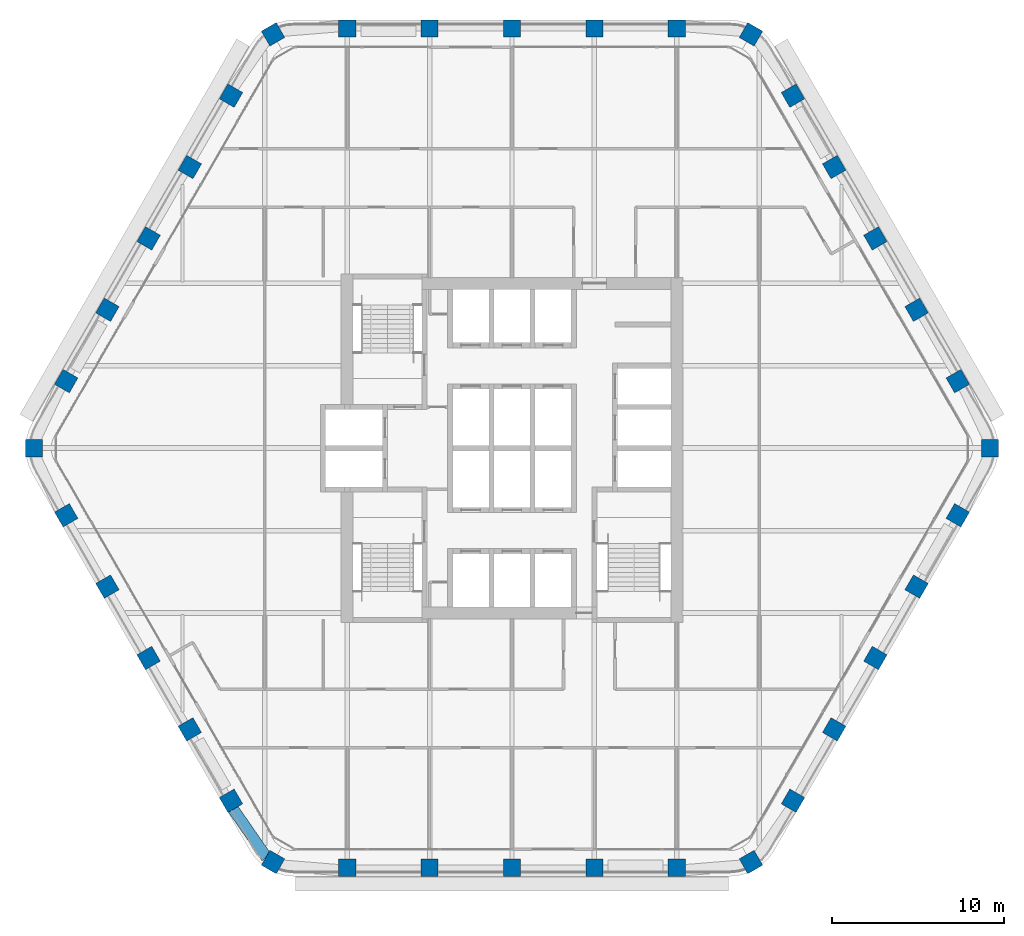
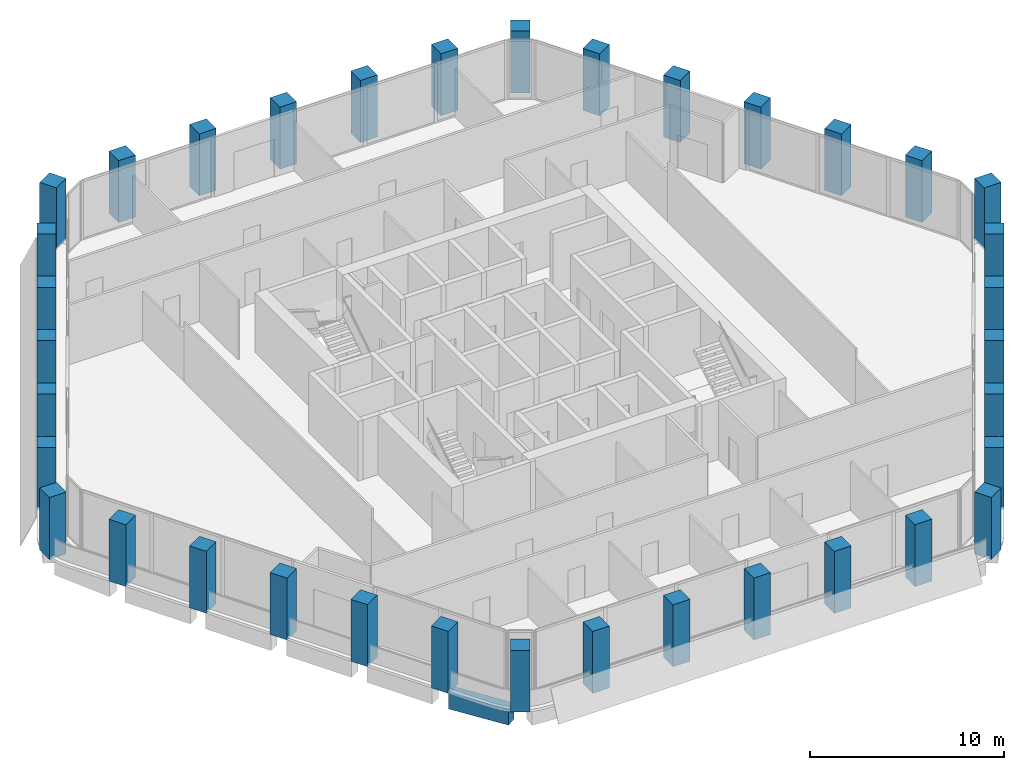
# One storey, part 1 of 15: 36 columns, 1 beam.
"""IFC4 building model written with IfcOpenShell, lengths in metres."""

from ifc_helpers import new_model, si_unit, direction, frame, origin, origin_2d, place, context, subcontext, project, spatial, rectangle, extrude, material, material_profile, profile_set, type_object, element, save


model = new_model("IFC4")

# Units and contexts
model_context = context("Model", 3, precision=1e-05, world=origin(), true_north=direction((0.0, 1.0)))
body_context = subcontext(model_context, "Body", "Model", "MODEL_VIEW")
ifc_project = project(units=[si_unit("LENGTHUNIT", "METRE"), si_unit("AREAUNIT", "SQUARE_METRE"), si_unit("VOLUMEUNIT", "CUBIC_METRE"), si_unit("PLANEANGLEUNIT", "RADIAN"), si_unit("MASSUNIT", "GRAM", prefix="KILO")], contexts=[model_context])

# Site, building, storey
site_placement = place(None, origin())
site = spatial("IfcSite", under=ifc_project, at=site_placement, CompositionType="ELEMENT")
building_placement = place(site_placement, origin())
building = spatial("IfcBuilding", under=site, at=building_placement, Name="Kolab Exchange Tower", CompositionType="ELEMENT")
storey_placement = place(building_placement, frame((0.0, 0.0, 138.800048828125)))
storey = spatial("IfcBuildingStorey", under=building, at=storey_placement, Name="L27", CompositionType="ELEMENT", Elevation=138.800048828125)

# Columns
ifc_material = material(Name="Concrete C60/75", Category="concrete")
ifc_material_profile_1 = material_profile(ifc_material, rectangle(XDim=1.0, YDim=1.0, at=origin_2d()), Name="RC1000")
ifc_profile_set_1 = profile_set([ifc_material_profile_1], Name="Concrete C60/75")
column_type = type_object("IfcColumnType", Name="PERIMETER COLUMN 1000 SQ C60/75", PredefinedType="COLUMN", material=ifc_profile_set_1)
for number, where, z_axis, x_axis, name in (
    (1, (-13.91796875, 24.106689453125, -0.150146484375), (0.0, 0.0, 1.0), (0.866025403784, 0.5, 0.0), "col/L27/F1-01"),
    (2, (-9.60009765625, 24.441650390625, -0.150146484375), (0.0, 0.0, 1.0), (1.0, 0.0, 0.0), "col/L27/F1-02"),
    (3, (-4.800048828125, 24.441650390625, -0.150146484375), (0.0, 0.0, 1.0), (1.0, 0.0, 0.0), "col/L27/F1-03"),
    (4, (0.0, 24.441650390625, -0.150146484375), (0.0, 0.0, 1.0), (1.0, 0.0, 0.0), "col/L27/F1-04"),
    (5, (4.800048828125, 24.441650390625, -0.150146484375), (0.0, 0.0, 1.0), (1.0, 0.0, 0.0), "col/L27/F1-05"),
    (6, (9.60009765625, 24.441650390625, -0.150146484375), (0.0, 0.0, 1.0), (1.0, 0.0, 0.0), "col/L27/F1-06"),
    (7, (13.91796875, 24.106689453125, -0.150146484375), (0.0, 0.0, 1.0), (0.5, 0.866025403784, 0.0), "col/L27/F2-01"),
    (8, (16.366943359375, 20.53466796875, -0.150146484375), (0.0, 0.0, 1.0), (0.866025403784, 0.5, 0.0), "col/L27/F2-02"),
    (9, (18.76708984375, 16.377685546875, -0.150146484375), (0.0, 0.0, 1.0), (0.866025403784, 0.5, 0.0), "col/L27/F2-03"),
    (10, (21.1669921875, 12.220703125, -0.150146484375), (0.0, 0.0, 1.0), (0.866025403784, 0.5, 0.0), "col/L27/F2-04"),
    (11, (23.56689453125, 8.06396484375, -0.150146484375), (0.0, 0.0, 1.0), (0.866025403784, 0.5, 0.0), "col/L27/F2-05"),
    (12, (25.967041015625, 3.906982421875, -0.150146484375), (0.0, 0.0, 1.0), (0.866025403784, 0.5, 0.0), "col/L27/F2-06"),
    (13, (27.8359375, 0.0, -0.150146484375), (0.0, 0.0, 1.0), (1.0, 0.0, 0.0), "col/L27/F3-01"),
    (14, (25.967041015625, -3.906982421875, -0.150146484375), (0.0, 0.0, 1.0), (0.5, 0.866025403784, 0.0), "col/L27/F3-02"),
    (15, (23.56689453125, -8.06396484375, -0.150146484375), (0.0, 0.0, 1.0), (0.5, 0.866025403784, 0.0), "col/L27/F3-03"),
    (16, (21.1669921875, -12.220703125, -0.150146484375), (0.0, 0.0, 1.0), (0.5, 0.866025403784, 0.0), "col/L27/F3-04"),
    (17, (18.76708984375, -16.377685546875, -0.150146484375), (0.0, 0.0, 1.0), (0.5, 0.866025403784, 0.0), "col/L27/F3-05"),
    (18, (16.366943359375, -20.53466796875, -0.150146484375), (0.0, 0.0, 1.0), (0.5, 0.866025403784, 0.0), "col/L27/F3-06"),
    (19, (13.91796875, -24.106689453125, -0.150146484375), (0.0, 0.0, 1.0), (0.866025403784, 0.5, 0.0), "col/L27/F4-01"),
    (20, (9.60009765625, -24.441650390625, -0.150146484375), (0.0, 0.0, 1.0), (1.0, 0.0, 0.0), "col/L27/F4-02"),
    (21, (4.800048828125, -24.441650390625, -0.150146484375), (0.0, 0.0, 1.0), (1.0, 0.0, 0.0), "col/L27/F4-03"),
    (22, (0.0, -24.441650390625, -0.150146484375), (0.0, 0.0, 1.0), (1.0, 0.0, 0.0), "col/L27/F4-04"),
    (23, (-4.800048828125, -24.441650390625, -0.150146484375), (0.0, 0.0, 1.0), (1.0, 0.0, 0.0), "col/L27/F4-05"),
    (24, (-9.60009765625, -24.441650390625, -0.150146484375), (0.0, 0.0, 1.0), (1.0, 0.0, 0.0), "col/L27/F4-06"),
    (25, (-13.91796875, -24.106689453125, -0.150146484375), (0.0, 0.0, 1.0), (0.5, 0.866025403784, 0.0), "col/L27/F5-01"),
    (26, (-16.366943359375, -20.53466796875, -0.150146484375), (0.0, 0.0, 1.0), (0.866025403784, 0.5, 0.0), "col/L27/F5-02"),
    (27, (-18.76708984375, -16.377685546875, -0.150146484375), (0.0, 0.0, 1.0), (0.866025403784, 0.5, 0.0), "col/L27/F5-03"),
    (28, (-21.1669921875, -12.220703125, -0.150146484375), (0.0, 0.0, 1.0), (0.866025403784, 0.5, 0.0), "col/L27/F5-04"),
    (29, (-23.56689453125, -8.06396484375, -0.150146484375), (0.0, 0.0, 1.0), (0.866025403784, 0.5, 0.0), "col/L27/F5-05"),
    (30, (-25.967041015625, -3.906982421875, -0.150146484375), (0.0, 0.0, 1.0), (0.866025403784, 0.5, 0.0), "col/L27/F5-06"),
    (31, (-27.8359375, 0.0, -0.150146484375), (0.0, 0.0, 1.0), (1.0, 0.0, 0.0), "col/L27/F6-01"),
    (32, (-25.967041015625, 3.906982421875, -0.150146484375), (0.0, 0.0, 1.0), (0.5, 0.866025403784, 0.0), "col/L27/F6-02"),
    (33, (-23.56689453125, 8.06396484375, -0.150146484375), (0.0, 0.0, 1.0), (0.5, 0.866025403784, 0.0), "col/L27/F6-03"),
    (34, (-21.1669921875, 12.220703125, -0.150146484375), (0.0, 0.0, 1.0), (0.5, 0.866025403784, 0.0), "col/L27/F6-04"),
    (35, (-18.76708984375, 16.377685546875, -0.150146484375), (0.0, 0.0, 1.0), (0.5, 0.866025403784, 0.0), "col/L27/F6-05"),
    (36, (-16.366943359375, 20.53466796875, -0.150146484375), (0.0, 0.0, 1.0), (0.5, 0.866025403784, 0.0), "col/L27/F6-06"),
):
    element("IfcColumn", number, at=place(storey_placement, frame(where, z_axis=z_axis, x_axis=x_axis)), inside=storey, type_object=column_type, Name=name, PredefinedType="COLUMN", context=body_context, shape_type="SweptSolid", body=[
        extrude(rectangle(XDim=1.0, YDim=1.0, at=origin_2d()), origin(), (0.0, 0.0, 1.0), 3.900146484375),
    ])

# Beam
ifc_material_profile_2 = material_profile(ifc_material, rectangle(XDim=0.64990234375, YDim=1.0, at=origin_2d()), Name="RC650X1000")
ifc_profile_set_2 = profile_set([ifc_material_profile_2], Name="Concrete C60/75")
beam_type = type_object("IfcBeamType", Name="SPANDREL BEAM 650X1000 C60/75", PredefinedType="BEAM", material=ifc_profile_set_2)
beam_placement = place(storey_placement, frame((-14.29736328125, -23.8359375, -0.650146484375), z_axis=(-0.568572281073, 0.822633309073, 0.0), x_axis=(-0.822633309073, -0.568572281073, 0.0)))
element("IfcBeam", 37, at=beam_placement, inside=storey, type_object=beam_type, Name="beam/L27/sp/F5-01", PredefinedType="BEAM", context=body_context, shape_type="SweptSolid", body=[
    extrude(rectangle(XDim=0.64990234375, YDim=1.0, at=origin_2d()), origin(), (0.0, 0.0, 1.0), 3.445068359375),
])

save(model, "model.ifc")
